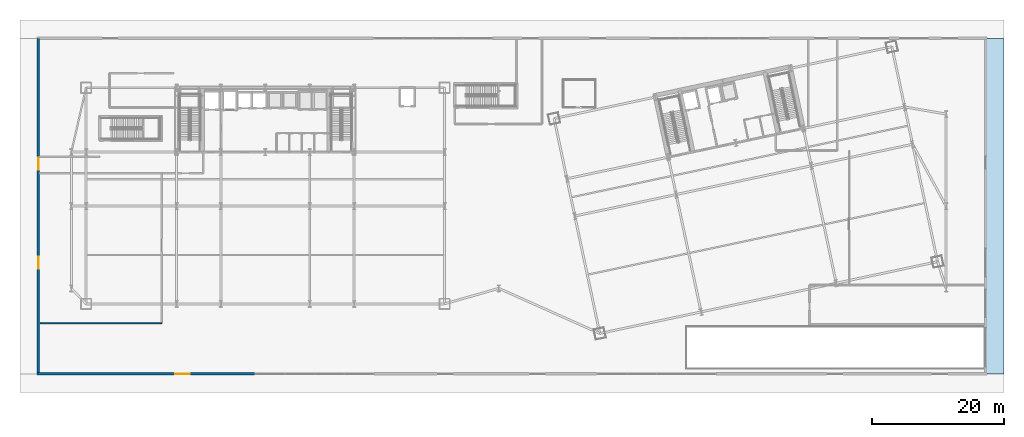
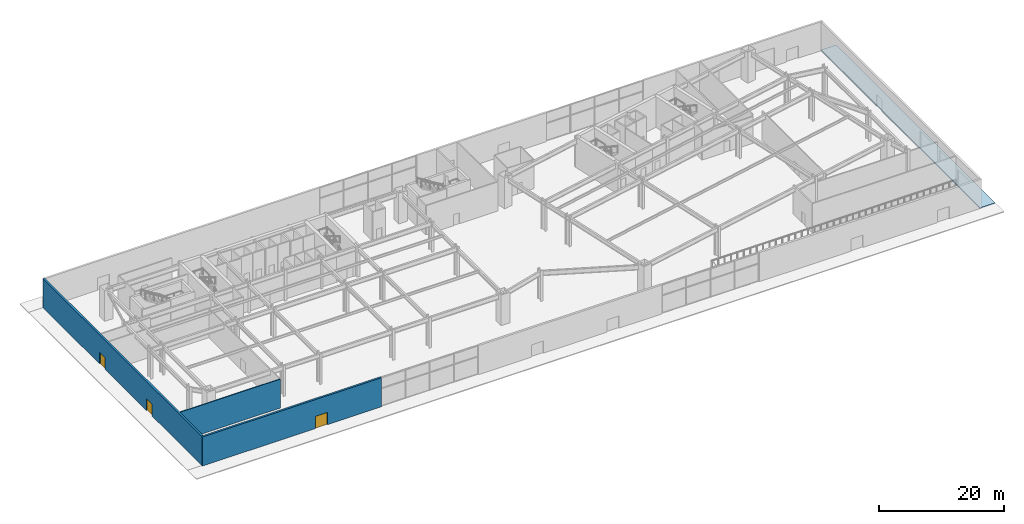
# One storey, part 19 of 30: 3 doors, 3 walls, 1 slab, 3 openings.
"""IFC4 building model written with IfcOpenShell, lengths in metres."""

from ifc_helpers import new_model, si_unit, direction, frame, frame_2d, origin, place, context, subcontext, project, spatial, polyline, rectangle, outline, extrude, material, layer, layer_set, type_object, element, fill, save


model = new_model("IFC4")

# Units and contexts
model_context = context("Model", 3, precision=1e-05, world=origin(), true_north=direction((0.0, 1.0)))
body_context = subcontext(model_context, "Body", "Model", "MODEL_VIEW")
ifc_project = project(units=[si_unit("LENGTHUNIT", "METRE"), si_unit("AREAUNIT", "SQUARE_METRE"), si_unit("VOLUMEUNIT", "CUBIC_METRE"), si_unit("PLANEANGLEUNIT", "RADIAN"), si_unit("MASSUNIT", "GRAM", prefix="KILO")], contexts=[model_context])

# Site, building, storey
site_placement = place(None, origin())
site = spatial("IfcSite", under=ifc_project, at=site_placement, CompositionType="ELEMENT")
building_placement = place(site_placement, origin())
building = spatial("IfcBuilding", under=site, at=building_placement, Name="Haevon Station Towers", CompositionType="ELEMENT")
storey_placement = place(building_placement, origin())
storey = spatial("IfcBuildingStorey", under=building, at=storey_placement, Name="L00", CompositionType="ELEMENT", Elevation=0.0)

# Slab
ifc_material_1 = material(Name="Concrete C40/50", Category="concrete")
ifc_layer_1 = layer(ifc_material_1, 0.179931640625)
ifc_layer_set_1 = layer_set([ifc_layer_1], Name="Concrete C40/50")
slab_type = type_object("IfcSlabType", Name="SL-PAV180", PredefinedType="FLOOR", material=ifc_layer_set_1)
slab_placement = place(storey_placement, frame((0.0, 0.0, -0.179931640625)))
element("IfcSlab", 1, at=slab_placement, inside=storey, type_object=slab_type, Name="L00 Outdoor Terrace PLAZA-EAST-APRON", PredefinedType="FLOOR", context=body_context, shape_type="SweptSolid", body=[
    extrude(outline(polyline([(147.0048828125, 4.5), (149.800048828125, 4.5), (149.800048828125, 55.5), (147.0048828125, 55.5), (147.0048828125, 4.5)])), origin(), (0.0, 0.0, 1.0), 0.179931640625),
])

# Wall, opening, door
ifc_material_2 = material(Name="Precast concrete C45/55", Category="concrete")
ifc_layer_2 = layer(ifc_material_2, 0.360107421875)
ifc_layer_set_2 = layer_set([ifc_layer_2], Name="Precast concrete C45/55")
wall_type_1 = type_object("IfcWallType", Name="WL-EXT-POD360", PredefinedType="SOLIDWALL", material=ifc_layer_set_2)
wall_1_placement = place(storey_placement, frame((36.0, 4.5, 0.0), z_axis=(0.0, 0.0, 1.0), x_axis=(-1.0, 0.0, 0.0)))
wall_1 = element("IfcWall", 2, at=wall_1_placement, inside=storey, type_object=wall_type_1, Name="WL-POD-L00-S3", PredefinedType="SOLIDWALL", context=body_context, shape_type="SweptSolid", body=[
    extrude(rectangle(XDim=33.179931640625, YDim=0.360107421875, at=frame_2d((16.58984375, 0.0))), origin(), (0.0, 0.0, 1.0), 5.679931640625),
])
opening_1_placement = place(wall_1_placement, frame((10.0, 0.0, 0.0)))
opening_1 = element("IfcOpeningElement", 3, at=opening_1_placement, cuts=wall_1, Name="Opening DR-L00-EXIT-05", PredefinedType="OPENING", context=body_context, shape_type="SweptSolid", body=[
    extrude(rectangle(XDim=2.199951171875, YDim=2.39990234375, at=frame_2d((1.10009765625, 1.199951171875))), frame((0.0, 0.18994140625, 0.0), z_axis=(0.0, -1.0, 0.0), x_axis=(1.0, 0.0, 0.0)), (0.0, 0.0, 1.0), 0.380126953125),
])
ifc_material_3 = material(Name="Thermally broken anodised aluminium and laminated safety glass", Category="aluminium")
door_type_1 = type_object("IfcDoorType", Name="DR-EXT-2200", OperationType="NOTDEFINED", PredefinedType="DOOR", material=ifc_material_3)
door_1_placement = place(opening_1_placement, origin())
door_1 = element("IfcDoor", 4, at=door_1_placement, inside=storey, type_object=door_type_1, Name="L00 Pedestrian Street Exit Door 05", OperationType="DOUBLE_DOOR_SINGLE_SWING", OverallHeight=2.39990234375, OverallWidth=2.199951171875, PredefinedType="DOOR", context=body_context, shape_type="SweptSolid", body=[
    extrude(rectangle(XDim=2.199951171875, YDim=2.39990234375, at=frame_2d((1.10009765625, 1.199951171875))), frame((0.0, 0.02490234375, 0.0), z_axis=(0.0, -1.0, 0.0), x_axis=(1.0, 0.0, 0.0)), (0.0, 0.0, 1.0), 0.050048828125),
])
fill(opening_1, door_1)

# Wall, openings, doors
wall_2_placement = place(storey_placement, frame((3.0, 4.5, 0.0), z_axis=(0.0, 0.0, 1.0), x_axis=(0.0, 1.0, 0.0)))
wall_2 = element("IfcWall", 5, at=wall_2_placement, inside=storey, type_object=wall_type_1, Name="WL-POD-L00-W", PredefinedType="SOLIDWALL", context=body_context, shape_type="SweptSolid", body=[
    extrude(rectangle(XDim=51.0, YDim=0.360107421875, at=frame_2d((25.5, 0.0))), origin(), (0.0, 0.0, 1.0), 5.679931640625),
])
opening_2_placement = place(wall_2_placement, frame((31.050048828125, 0.0, 0.0)))
opening_2 = element("IfcOpeningElement", 6, at=opening_2_placement, cuts=wall_2, Name="Opening DR-L00-EXIT-ST15", PredefinedType="OPENING", context=body_context, shape_type="SweptSolid", body=[
    extrude(rectangle(XDim=1.800048828125, YDim=2.300048828125, at=frame_2d((0.89990234375, 1.14990234375))), frame((0.0, 0.18994140625, 0.0), z_axis=(0.0, -1.0, 0.0), x_axis=(1.0, 0.0, 0.0)), (0.0, 0.0, 1.0), 0.380126953125),
])
opening_3_placement = place(wall_2_placement, frame((16.0, 0.0, 0.0)))
opening_3 = element("IfcOpeningElement", 7, at=opening_3_placement, cuts=wall_2, Name="Opening DR-L00-RET-01", PredefinedType="OPENING", context=body_context, shape_type="SweptSolid", body=[
    extrude(rectangle(XDim=1.800048828125, YDim=2.300048828125, at=frame_2d((0.89990234375, 1.14990234375))), frame((0.0, 0.18994140625, 0.0), z_axis=(0.0, -1.0, 0.0), x_axis=(1.0, 0.0, 0.0)), (0.0, 0.0, 1.0), 0.380126953125),
])
door_type_2 = type_object("IfcDoorType", Name="DR-EXT-1800", OperationType="NOTDEFINED", PredefinedType="DOOR", material=ifc_material_3)
door_2_placement = place(opening_2_placement, origin())
door_2 = element("IfcDoor", 8, at=door_2_placement, inside=storey, type_object=door_type_2, Name="L00 Protected Exit Passageway ST1 and ST5 Final Street Exit Door", OperationType="DOUBLE_DOOR_SINGLE_SWING", OverallHeight=2.300048828125, OverallWidth=1.800048828125, PredefinedType="DOOR", context=body_context, shape_type="SweptSolid", body=[
    extrude(rectangle(XDim=1.800048828125, YDim=2.300048828125, at=frame_2d((0.89990234375, 1.14990234375))), frame((0.0, 0.02490234375, 0.0), z_axis=(0.0, -1.0, 0.0), x_axis=(1.0, 0.0, 0.0)), (0.0, 0.0, 1.0), 0.050048828125),
])
fill(opening_2, door_2)
door_3_placement = place(opening_3_placement, origin())
door_3 = element("IfcDoor", 9, at=door_3_placement, inside=storey, type_object=door_type_2, Name="L00 West Retail Street Entrance Door", OperationType="DOUBLE_DOOR_SINGLE_SWING", OverallHeight=2.300048828125, OverallWidth=1.800048828125, PredefinedType="DOOR", context=body_context, shape_type="SweptSolid", body=[
    extrude(rectangle(XDim=1.800048828125, YDim=2.300048828125, at=frame_2d((0.89990234375, 1.14990234375))), frame((0.0, 0.02490234375, 0.0), z_axis=(0.0, -1.0, 0.0), x_axis=(1.0, 0.0, 0.0)), (0.0, 0.0, 1.0), 0.050048828125),
])
fill(opening_3, door_3)

# Wall
ifc_material_4 = material(Name="Gypsum board on steel stud", Category="steel")
ifc_layer_3 = layer(ifc_material_4, 0.159912109375)
ifc_layer_set_3 = layer_set([ifc_layer_3], Name="Gypsum board on steel stud")
wall_type_2 = type_object("IfcWallType", Name="WL-PRT160", PredefinedType="PARTITIONING", material=ifc_layer_set_3)
wall_3_placement = place(storey_placement, frame((3.300048828125, 12.199951171875, 0.0), z_axis=(0.0, 0.0, 1.0), x_axis=(1.0, 0.0, 0.0)))
element("IfcWall", 10, at=wall_3_placement, inside=storey, type_object=wall_type_2, Name="WL-L00-RETS", PredefinedType="PARTITIONING", context=body_context, shape_type="SweptSolid", body=[
    extrude(rectangle(XDim=18.449951171875, YDim=0.159912109375, at=frame_2d((9.22509765625, 0.0))), origin(), (0.0, 0.0, 1.0), 5.679931640625),
])

save(model, "model.ifc")
